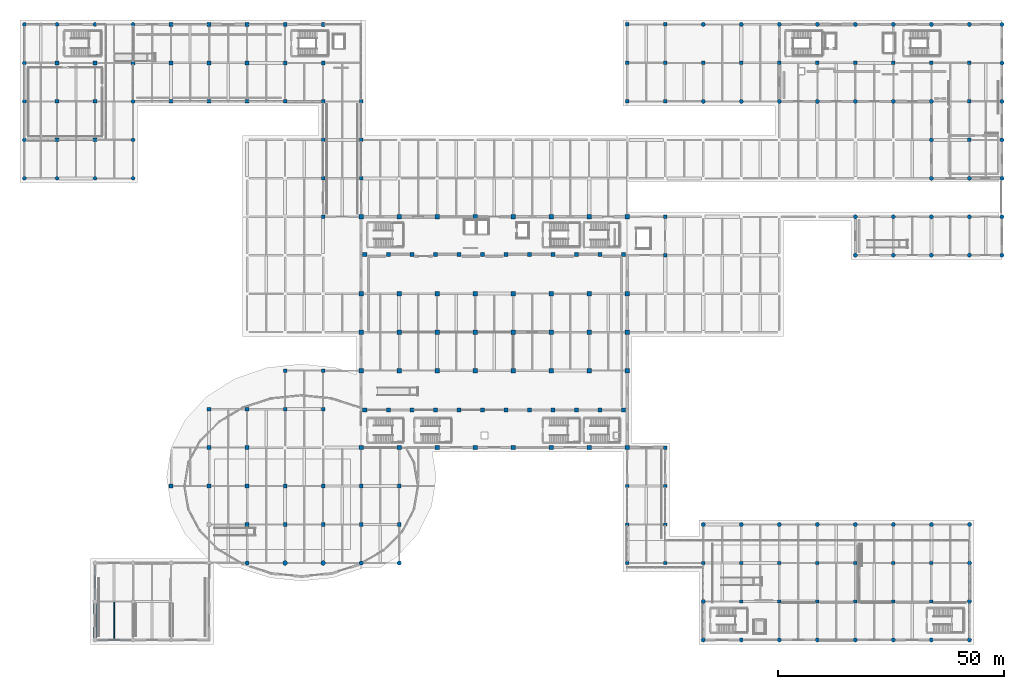
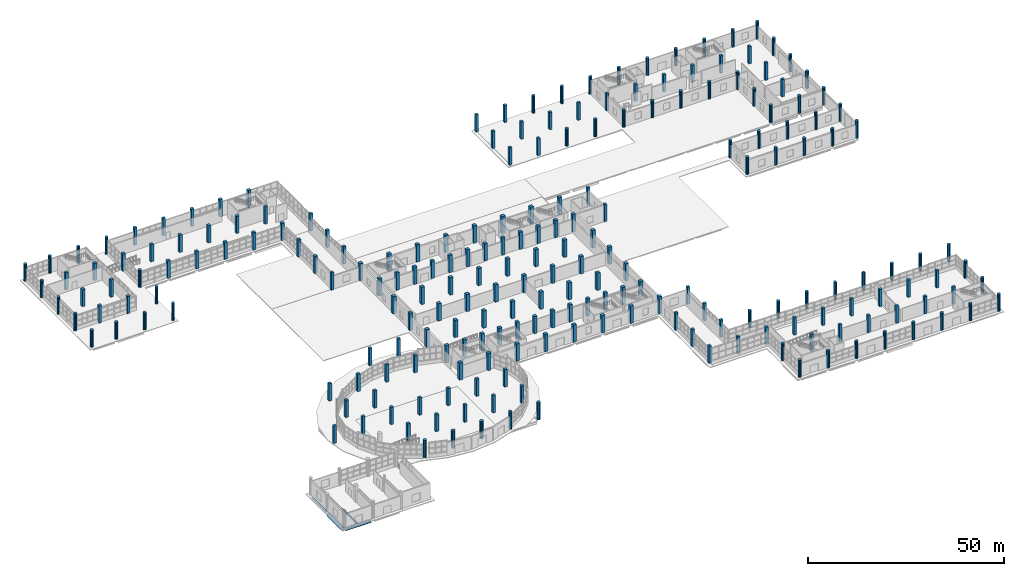
# One storey, part 2 of 107: 220 columns, 4 beams.
"""IFC4 building model written with IfcOpenShell, lengths in metres."""

from ifc_helpers import new_model, si_unit, direction, frame, origin, origin_2d, place, context, subcontext, project, spatial, rectangle, circle, i_section, extrude, material, material_profile, profile_set, type_object, element, save


model = new_model("IFC4")

# Units and contexts
model_context = context("Model", 3, precision=1e-05, world=origin(), true_north=direction((0.0, 1.0)))
body_context = subcontext(model_context, "Body", "Model", "MODEL_VIEW")
ifc_project = project(units=[si_unit("LENGTHUNIT", "METRE"), si_unit("AREAUNIT", "SQUARE_METRE"), si_unit("VOLUMEUNIT", "CUBIC_METRE"), si_unit("PLANEANGLEUNIT", "RADIAN"), si_unit("MASSUNIT", "GRAM", prefix="KILO")], contexts=[model_context])

# Site, building, storey
site_placement = place(None, origin())
site = spatial("IfcSite", under=ifc_project, at=site_placement, CompositionType="ELEMENT")
building_placement = place(site_placement, origin())
building = spatial("IfcBuilding", under=site, at=building_placement, Name="Solvento Point Concert Hall", CompositionType="ELEMENT")
storey_placement = place(building_placement, origin())
storey = spatial("IfcBuildingStorey", under=building, at=storey_placement, Name="L00", CompositionType="ELEMENT", Elevation=0.0)

# Columns
ifc_material_1 = material(Name="Concrete C40/50", Category="concrete")
ifc_material_profile_1 = material_profile(ifc_material_1, rectangle(XDim=0.75, YDim=0.75, at=origin_2d()), Name="RC-COL-750X750")
ifc_profile_set_1 = profile_set([ifc_material_profile_1], Name="Concrete C40/50")
column_type_1 = type_object("IfcColumnType", Name="Col_RC_750", PredefinedType="COLUMN", material=ifc_profile_set_1)
for number, where, z_axis, x_axis, name in (
    (1, (133.199951171875, 17.0, 0.0), (0.0, 0.0, 1.0), (1.0, 0.0, 0.0), "Column C-29 17/C L00"),
    (2, (133.199951171875, 25.5, 0.0), (0.0, 0.0, 1.0), (1.0, 0.0, 0.0), "Column C-29 17/D L00"),
    (3, (133.199951171875, 34.0, 0.0), (0.0, 0.0, 1.0), (1.0, 0.0, 0.0), "Column C-29 17/E L00"),
    (4, (133.199951171875, 119.0, 0.0), (0.0, 0.0, 1.0), (1.0, 0.0, 0.0), "Column C-29 17/Q L00"),
    (5, (133.199951171875, 127.5, 0.0), (0.0, 0.0, 1.0), (1.0, 0.0, 0.0), "Column C-29 17/R L00"),
    (6, (133.199951171875, 136.0, 0.0), (0.0, 0.0, 1.0), (1.0, 0.0, 0.0), "Column C-29 17/S L00"),
    (7, (141.60009765625, 17.0, 0.0), (0.0, 0.0, 1.0), (1.0, 0.0, 0.0), "Column C-29 18/C L00"),
    (8, (141.60009765625, 25.5, 0.0), (0.0, 0.0, 1.0), (1.0, 0.0, 0.0), "Column C-29 18/D L00"),
    (9, (141.60009765625, 34.0, 0.0), (0.0, 0.0, 1.0), (1.0, 0.0, 0.0), "Column C-29 18/E L00"),
    (10, (141.60009765625, 42.5, 0.0), (0.0, 0.0, 1.0), (1.0, 0.0, 0.0), "Column C-29 18/F L00"),
    (11, (141.60009765625, 85.0, 0.0), (0.0, 0.0, 1.0), (1.0, 0.0, 0.0), "Column C-29 18/L L00"),
    (12, (141.60009765625, 93.5, 0.0), (0.0, 0.0, 1.0), (1.0, 0.0, 0.0), "Column C-29 18/M L00"),
    (13, (141.60009765625, 119.0, 0.0), (0.0, 0.0, 1.0), (1.0, 0.0, 0.0), "Column C-29 18/Q L00"),
    (14, (141.60009765625, 127.5, 0.0), (0.0, 0.0, 1.0), (1.0, 0.0, 0.0), "Column C-29 18/R L00"),
    (15, (141.60009765625, 136.0, 0.0), (0.0, 0.0, 1.0), (1.0, 0.0, 0.0), "Column C-29 18/S L00"),
    (16, (150.0, 17.0, 0.0), (0.0, 0.0, 1.0), (1.0, 0.0, 0.0), "Column C-29 19/C L00"),
    (17, (150.0, 127.5, 0.0), (0.0, 0.0, 1.0), (1.0, 0.0, 0.0), "Column C-29 19/R L00"),
    (18, (158.39990234375, 8.5, 0.0), (0.0, 0.0, 1.0), (1.0, 0.0, 0.0), "Column C-29 20/B L00"),
    (19, (158.39990234375, 17.0, 0.0), (0.0, 0.0, 1.0), (1.0, 0.0, 0.0), "Column C-29 20/C L00"),
    (20, (158.39990234375, 127.5, 0.0), (0.0, 0.0, 1.0), (1.0, 0.0, 0.0), "Column C-29 20/R L00"),
    (21, (166.800048828125, 8.5, 0.0), (0.0, 0.0, 1.0), (1.0, 0.0, 0.0), "Column C-29 21/B L00"),
    (22, (166.800048828125, 17.0, 0.0), (0.0, 0.0, 1.0), (1.0, 0.0, 0.0), "Column C-29 21/C L00"),
    (23, (166.800048828125, 127.5, 0.0), (0.0, 0.0, 1.0), (1.0, 0.0, 0.0), "Column C-29 21/R L00"),
    (24, (175.199951171875, 8.5, 0.0), (0.0, 0.0, 1.0), (1.0, 0.0, 0.0), "Column C-29 22/B L00"),
    (25, (175.199951171875, 17.0, 0.0), (0.0, 0.0, 1.0), (1.0, 0.0, 0.0), "Column C-29 22/C L00"),
    (26, (175.199951171875, 127.5, 0.0), (0.0, 0.0, 1.0), (1.0, 0.0, 0.0), "Column C-29 22/R L00"),
    (27, (183.60009765625, 8.5, 0.0), (0.0, 0.0, 1.0), (1.0, 0.0, 0.0), "Column C-29 23/B L00"),
    (28, (183.60009765625, 17.0, 0.0), (0.0, 0.0, 1.0), (1.0, 0.0, 0.0), "Column C-29 23/C L00"),
    (29, (183.60009765625, 127.5, 0.0), (0.0, 0.0, 1.0), (1.0, 0.0, 0.0), "Column C-29 23/R L00"),
    (30, (192.0, 8.5, 0.0), (0.0, 0.0, 1.0), (1.0, 0.0, 0.0), "Column C-29 24/B L00"),
    (31, (192.0, 17.0, 0.0), (0.0, 0.0, 1.0), (1.0, 0.0, 0.0), "Column C-29 24/C L00"),
    (32, (192.0, 127.5, 0.0), (0.0, 0.0, 1.0), (1.0, 0.0, 0.0), "Column C-29 24/R L00"),
    (33, (200.39990234375, 8.5, 0.0), (0.0, 0.0, 1.0), (1.0, 0.0, 0.0), "Column C-29 25/B L00"),
    (34, (200.39990234375, 17.0, 0.0), (0.0, 0.0, 1.0), (1.0, 0.0, 0.0), "Column C-29 25/C L00"),
    (35, (200.39990234375, 127.5, 0.0), (0.0, 0.0, 1.0), (1.0, 0.0, 0.0), "Column C-29 25/R L00"),
    (36, (208.800048828125, 110.5, 0.0), (0.0, 0.0, 1.0), (1.0, 0.0, 0.0), "Column C-29 26/P L00"),
    (37, (208.800048828125, 119.0, 0.0), (0.0, 0.0, 1.0), (1.0, 0.0, 0.0), "Column C-29 26/Q L00"),
    (38, (208.800048828125, 127.5, 0.0), (0.0, 0.0, 1.0), (1.0, 0.0, 0.0), "Column C-29 26/R L00"),
):
    element("IfcColumn", number, at=place(storey_placement, frame(where, z_axis=z_axis, x_axis=x_axis)), inside=storey, type_object=column_type_1, Name=name, PredefinedType="COLUMN", context=body_context, shape_type="SweptSolid", body=[
        extrude(rectangle(XDim=0.75, YDim=0.75, at=origin_2d()), origin(), (0.0, 0.0, 1.0), 5.39990234375),
    ])
ifc_material_2 = material(Name="Concrete C40/50", Category="concrete")
ifc_material_profile_2 = material_profile(ifc_material_2, rectangle(XDim=0.820068359375, YDim=0.820068359375, at=origin_2d()), Name="RC-COL-820X820")
ifc_profile_set_2 = profile_set([ifc_material_profile_2], Name="Concrete C40/50")
column_type_2 = type_object("IfcColumnType", Name="Col_RC_820", PredefinedType="COLUMN", material=ifc_profile_set_2)
for number, where, z_axis, x_axis, name in (
    (39, (7.199951171875, 110.5, 0.0), (0.0, 0.0, 1.0), (1.0, 0.0, 0.0), "Column C-98 02/P L00"),
    (40, (7.199951171875, 119.0, 0.0), (0.0, 0.0, 1.0), (1.0, 0.0, 0.0), "Column C-98 02/Q L00"),
    (41, (7.199951171875, 127.5, 0.0), (0.0, 0.0, 1.0), (1.0, 0.0, 0.0), "Column C-98 02/R L00"),
    (42, (15.60009765625, 110.5, 0.0), (0.0, 0.0, 1.0), (1.0, 0.0, 0.0), "Column C-98 03/P L00"),
    (43, (15.60009765625, 119.0, 0.0), (0.0, 0.0, 1.0), (1.0, 0.0, 0.0), "Column C-98 03/Q L00"),
    (44, (15.60009765625, 127.5, 0.0), (0.0, 0.0, 1.0), (1.0, 0.0, 0.0), "Column C-98 03/R L00"),
    (45, (24.0, 127.5, 0.0), (0.0, 0.0, 1.0), (1.0, 0.0, 0.0), "Column C-98 04/R L00"),
    (46, (32.39990234375, 34.0, 0.0), (0.0, 0.0, 1.0), (1.0, 0.0, 0.0), "Column C-98 05/E L00"),
    (47, (32.39990234375, 119.0, 0.0), (0.0, 0.0, 1.0), (1.0, 0.0, 0.0), "Column C-98 05/Q L00"),
    (48, (32.39990234375, 127.5, 0.0), (0.0, 0.0, 1.0), (1.0, 0.0, 0.0), "Column C-98 05/R L00"),
    (49, (32.39990234375, 136.0, 0.0), (0.0, 0.0, 1.0), (1.0, 0.0, 0.0), "Column C-98 05/S L00"),
    (50, (40.800048828125, 34.0, 0.0), (0.0, 0.0, 1.0), (1.0, 0.0, 0.0), "Column C-98 06/E L00"),
    (51, (40.800048828125, 42.5, 0.0), (0.0, 0.0, 1.0), (1.0, 0.0, 0.0), "Column C-98 06/F L00"),
    (52, (40.800048828125, 51.0, 0.0), (0.0, 0.0, 1.0), (1.0, 0.0, 0.0), "Column C-98 06/G L00"),
    (53, (40.800048828125, 119.0, 0.0), (0.0, 0.0, 1.0), (1.0, 0.0, 0.0), "Column C-98 06/Q L00"),
    (54, (40.800048828125, 127.5, 0.0), (0.0, 0.0, 1.0), (1.0, 0.0, 0.0), "Column C-98 06/R L00"),
    (55, (40.800048828125, 136.0, 0.0), (0.0, 0.0, 1.0), (1.0, 0.0, 0.0), "Column C-98 06/S L00"),
    (56, (49.199951171875, 25.5, 0.0), (0.0, 0.0, 1.0), (1.0, 0.0, 0.0), "Column C-98 07/D L00"),
    (57, (49.199951171875, 34.0, 0.0), (0.0, 0.0, 1.0), (1.0, 0.0, 0.0), "Column C-98 07/E L00"),
    (58, (49.199951171875, 42.5, 0.0), (0.0, 0.0, 1.0), (1.0, 0.0, 0.0), "Column C-98 07/F L00"),
    (59, (49.199951171875, 51.0, 0.0), (0.0, 0.0, 1.0), (1.0, 0.0, 0.0), "Column C-98 07/G L00"),
    (60, (49.199951171875, 119.0, 0.0), (0.0, 0.0, 1.0), (1.0, 0.0, 0.0), "Column C-98 07/Q L00"),
    (61, (49.199951171875, 127.5, 0.0), (0.0, 0.0, 1.0), (1.0, 0.0, 0.0), "Column C-98 07/R L00"),
    (62, (49.199951171875, 136.0, 0.0), (0.0, 0.0, 1.0), (1.0, 0.0, 0.0), "Column C-98 07/S L00"),
    (63, (57.60009765625, 25.5, 0.0), (0.0, 0.0, 1.0), (1.0, 0.0, 0.0), "Column C-98 08/D L00"),
    (64, (57.60009765625, 34.0, 0.0), (0.0, 0.0, 1.0), (1.0, 0.0, 0.0), "Column C-98 08/E L00"),
    (65, (57.60009765625, 51.0, 0.0), (0.0, 0.0, 1.0), (1.0, 0.0, 0.0), "Column C-98 08/G L00"),
    (66, (57.60009765625, 59.5, 0.0), (0.0, 0.0, 1.0), (1.0, 0.0, 0.0), "Column C-98 08/H L00"),
    (67, (57.60009765625, 119.0, 0.0), (0.0, 0.0, 1.0), (1.0, 0.0, 0.0), "Column C-98 08/Q L00"),
    (68, (57.60009765625, 127.5, 0.0), (0.0, 0.0, 1.0), (1.0, 0.0, 0.0), "Column C-98 08/R L00"),
    (69, (57.60009765625, 136.0, 0.0), (0.0, 0.0, 1.0), (1.0, 0.0, 0.0), "Column C-98 08/S L00"),
    (70, (66.0, 25.5, 0.0), (0.0, 0.0, 1.0), (1.0, 0.0, 0.0), "Column C-98 09/D L00"),
    (71, (66.0, 34.0, 0.0), (0.0, 0.0, 1.0), (1.0, 0.0, 0.0), "Column C-98 09/E L00"),
    (72, (66.0, 51.0, 0.0), (0.0, 0.0, 1.0), (1.0, 0.0, 0.0), "Column C-98 09/G L00"),
    (73, (66.0, 59.5, 0.0), (0.0, 0.0, 1.0), (1.0, 0.0, 0.0), "Column C-98 09/H L00"),
    (74, (66.0, 93.5, 0.0), (0.0, 0.0, 1.0), (1.0, 0.0, 0.0), "Column C-98 09/M L00"),
    (75, (66.0, 102.0, 0.0), (0.0, 0.0, 1.0), (1.0, 0.0, 0.0), "Column C-98 09/N L00"),
    (76, (66.0, 110.5, 0.0), (0.0, 0.0, 1.0), (1.0, 0.0, 0.0), "Column C-98 09/P L00"),
    (77, (66.0, 119.0, 0.0), (0.0, 0.0, 1.0), (1.0, 0.0, 0.0), "Column C-98 09/Q L00"),
    (78, (66.0, 127.5, 0.0), (0.0, 0.0, 1.0), (1.0, 0.0, 0.0), "Column C-98 09/R L00"),
    (79, (66.0, 136.0, 0.0), (0.0, 0.0, 1.0), (1.0, 0.0, 0.0), "Column C-98 09/S L00"),
    (80, (74.39990234375, 25.5, 0.0), (0.0, 0.0, 1.0), (1.0, 0.0, 0.0), "Column C-98 10/D L00"),
    (81, (74.39990234375, 34.0, 0.0), (0.0, 0.0, 1.0), (1.0, 0.0, 0.0), "Column C-98 10/E L00"),
    (82, (74.39990234375, 102.0, 0.0), (0.0, 0.0, 1.0), (1.0, 0.0, 0.0), "Column C-98 10/N L00"),
    (83, (74.39990234375, 110.5, 0.0), (0.0, 0.0, 1.0), (1.0, 0.0, 0.0), "Column C-98 10/P L00"),
    (84, (74.39990234375, 119.0, 0.0), (0.0, 0.0, 1.0), (1.0, 0.0, 0.0), "Column C-98 10/Q L00"),
    (85, (82.800048828125, 25.5, 0.0), (0.0, 0.0, 1.0), (1.0, 0.0, 0.0), "Column C-98 11/D L00"),
    (86, (82.800048828125, 34.0, 0.0), (0.0, 0.0, 1.0), (1.0, 0.0, 0.0), "Column C-98 11/E L00"),
):
    element("IfcColumn", number, at=place(storey_placement, frame(where, z_axis=z_axis, x_axis=x_axis)), inside=storey, type_object=column_type_2, Name=name, PredefinedType="COLUMN", context=body_context, shape_type="SweptSolid", body=[
        extrude(rectangle(XDim=0.820068359375, YDim=0.820068359375, at=origin_2d()), origin(), (0.0, 0.0, 1.0), 5.39990234375),
    ])
ifc_material_3 = material(Name="Concrete C40/50", Category="concrete")
ifc_material_profile_3 = material_profile(ifc_material_3, rectangle(XDim=0.89990234375, YDim=0.89990234375, at=origin_2d()), Name="RC-COL-900X900")
ifc_profile_set_3 = profile_set([ifc_material_profile_3], Name="Concrete C40/50")
column_type_3 = type_object("IfcColumnType", Name="Col_RC_900", PredefinedType="COLUMN", material=ifc_profile_set_3)
for number, where, z_axis, x_axis, name in (
    (87, (75.199951171875, 50.800048828125, 0.0), (0.0, 0.0, 1.0), (1.0, 0.0, 0.0), "Symphonic drum column C-14 DS01 L00"),
    (88, (75.199951171875, 85.199951171875, 0.0), (0.0, 0.0, 1.0), (1.0, 0.0, 0.0), "Symphonic drum column C-14 DN01 L00"),
    (89, (80.39990234375, 50.800048828125, 0.0), (0.0, 0.0, 1.0), (1.0, 0.0, 0.0), "Symphonic drum column C-14 DS02 L00"),
    (90, (80.39990234375, 85.199951171875, 0.0), (0.0, 0.0, 1.0), (1.0, 0.0, 0.0), "Symphonic drum column C-14 DN02 L00"),
    (91, (85.60009765625, 50.800048828125, 0.0), (0.0, 0.0, 1.0), (1.0, 0.0, 0.0), "Symphonic drum column C-14 DS03 L00"),
    (92, (85.60009765625, 85.199951171875, 0.0), (0.0, 0.0, 1.0), (1.0, 0.0, 0.0), "Symphonic drum column C-14 DN03 L00"),
    (93, (90.800048828125, 50.800048828125, 0.0), (0.0, 0.0, 1.0), (1.0, 0.0, 0.0), "Symphonic drum column C-14 DS04 L00"),
    (94, (90.800048828125, 85.199951171875, 0.0), (0.0, 0.0, 1.0), (1.0, 0.0, 0.0), "Symphonic drum column C-14 DN04 L00"),
    (95, (96.0, 50.800048828125, 0.0), (0.0, 0.0, 1.0), (1.0, 0.0, 0.0), "Symphonic drum column C-14 DS05 L00"),
    (96, (96.0, 85.199951171875, 0.0), (0.0, 0.0, 1.0), (1.0, 0.0, 0.0), "Symphonic drum column C-14 DN05 L00"),
    (97, (101.199951171875, 50.800048828125, 0.0), (0.0, 0.0, 1.0), (1.0, 0.0, 0.0), "Symphonic drum column C-14 DS06 L00"),
    (98, (101.199951171875, 85.199951171875, 0.0), (0.0, 0.0, 1.0), (1.0, 0.0, 0.0), "Symphonic drum column C-14 DN06 L00"),
    (99, (106.39990234375, 50.800048828125, 0.0), (0.0, 0.0, 1.0), (1.0, 0.0, 0.0), "Symphonic drum column C-14 DS07 L00"),
    (100, (106.39990234375, 85.199951171875, 0.0), (0.0, 0.0, 1.0), (1.0, 0.0, 0.0), "Symphonic drum column C-14 DN07 L00"),
    (101, (111.60009765625, 50.800048828125, 0.0), (0.0, 0.0, 1.0), (1.0, 0.0, 0.0), "Symphonic drum column C-14 DS08 L00"),
    (102, (111.60009765625, 85.199951171875, 0.0), (0.0, 0.0, 1.0), (1.0, 0.0, 0.0), "Symphonic drum column C-14 DN08 L00"),
    (103, (116.800048828125, 50.800048828125, 0.0), (0.0, 0.0, 1.0), (1.0, 0.0, 0.0), "Symphonic drum column C-14 DS09 L00"),
    (104, (116.800048828125, 85.199951171875, 0.0), (0.0, 0.0, 1.0), (1.0, 0.0, 0.0), "Symphonic drum column C-14 DN09 L00"),
    (105, (122.0, 50.800048828125, 0.0), (0.0, 0.0, 1.0), (1.0, 0.0, 0.0), "Symphonic drum column C-14 DS10 L00"),
    (106, (122.0, 85.199951171875, 0.0), (0.0, 0.0, 1.0), (1.0, 0.0, 0.0), "Symphonic drum column C-14 DN10 L00"),
    (107, (127.199951171875, 50.800048828125, 0.0), (0.0, 0.0, 1.0), (1.0, 0.0, 0.0), "Symphonic drum column C-14 DS11 L00"),
    (108, (127.199951171875, 85.199951171875, 0.0), (0.0, 0.0, 1.0), (1.0, 0.0, 0.0), "Symphonic drum column C-14 DN11 L00"),
    (109, (132.39990234375, 50.800048828125, 0.0), (0.0, 0.0, 1.0), (1.0, 0.0, 0.0), "Symphonic drum column C-14 DS12 L00"),
    (110, (132.39990234375, 85.199951171875, 0.0), (0.0, 0.0, 1.0), (1.0, 0.0, 0.0), "Symphonic drum column C-14 DN12 L00"),
):
    element("IfcColumn", number, at=place(storey_placement, frame(where, z_axis=z_axis, x_axis=x_axis)), inside=storey, type_object=column_type_3, Name=name, PredefinedType="COLUMN", context=body_context, shape_type="SweptSolid", body=[
        extrude(rectangle(XDim=0.89990234375, YDim=0.89990234375, at=origin_2d()), origin(), (0.0, 0.0, 1.0), 5.39990234375),
    ])
ifc_material_4 = material(Name="Concrete C40/50", Category="concrete")
ifc_material_profile_4 = material_profile(ifc_material_4, rectangle(XDim=0.949951171875, YDim=0.949951171875, at=origin_2d()), Name="RC-COL-950X950")
ifc_profile_set_4 = profile_set([ifc_material_profile_4], Name="Concrete C40/50")
column_type_4 = type_object("IfcColumnType", Name="Col_RC_950", PredefinedType="COLUMN", material=ifc_profile_set_4)
for number, where, z_axis, x_axis, name in (
    (111, (74.39990234375, 42.5, 0.0), (0.0, 0.0, 1.0), (1.0, 0.0, 0.0), "Column C-86 10/F L00"),
    (112, (74.39990234375, 59.5, 0.0), (0.0, 0.0, 1.0), (1.0, 0.0, 0.0), "Column C-86 10/H L00"),
    (113, (74.39990234375, 68.0, 0.0), (0.0, 0.0, 1.0), (1.0, 0.0, 0.0), "Column C-86 10/J L00"),
    (114, (74.39990234375, 76.5, 0.0), (0.0, 0.0, 1.0), (1.0, 0.0, 0.0), "Column C-86 10/K L00"),
    (115, (74.39990234375, 93.5, 0.0), (0.0, 0.0, 1.0), (1.0, 0.0, 0.0), "Column C-86 10/M L00"),
    (116, (82.800048828125, 42.5, 0.0), (0.0, 0.0, 1.0), (1.0, 0.0, 0.0), "Column C-86 11/F L00"),
    (117, (82.800048828125, 59.5, 0.0), (0.0, 0.0, 1.0), (1.0, 0.0, 0.0), "Column C-86 11/H L00"),
    (118, (82.800048828125, 68.0, 0.0), (0.0, 0.0, 1.0), (1.0, 0.0, 0.0), "Column C-86 11/J L00"),
    (119, (82.800048828125, 76.5, 0.0), (0.0, 0.0, 1.0), (1.0, 0.0, 0.0), "Column C-86 11/K L00"),
    (120, (82.800048828125, 93.5, 0.0), (0.0, 0.0, 1.0), (1.0, 0.0, 0.0), "Column C-86 11/M L00"),
    (121, (91.199951171875, 42.5, 0.0), (0.0, 0.0, 1.0), (1.0, 0.0, 0.0), "Column C-86 12/F L00"),
    (122, (91.199951171875, 59.5, 0.0), (0.0, 0.0, 1.0), (1.0, 0.0, 0.0), "Column C-86 12/H L00"),
    (123, (91.199951171875, 68.0, 0.0), (0.0, 0.0, 1.0), (1.0, 0.0, 0.0), "Column C-86 12/J L00"),
    (124, (91.199951171875, 76.5, 0.0), (0.0, 0.0, 1.0), (1.0, 0.0, 0.0), "Column C-86 12/K L00"),
    (125, (91.199951171875, 93.5, 0.0), (0.0, 0.0, 1.0), (1.0, 0.0, 0.0), "Column C-86 12/M L00"),
    (126, (99.60009765625, 42.5, 0.0), (0.0, 0.0, 1.0), (1.0, 0.0, 0.0), "Column C-86 13/F L00"),
    (127, (99.60009765625, 59.5, 0.0), (0.0, 0.0, 1.0), (1.0, 0.0, 0.0), "Column C-86 13/H L00"),
    (128, (99.60009765625, 68.0, 0.0), (0.0, 0.0, 1.0), (1.0, 0.0, 0.0), "Column C-86 13/J L00"),
    (129, (99.60009765625, 76.5, 0.0), (0.0, 0.0, 1.0), (1.0, 0.0, 0.0), "Column C-86 13/K L00"),
    (130, (99.60009765625, 93.5, 0.0), (0.0, 0.0, 1.0), (1.0, 0.0, 0.0), "Column C-86 13/M L00"),
    (131, (108.0, 42.5, 0.0), (0.0, 0.0, 1.0), (1.0, 0.0, 0.0), "Column C-86 14/F L00"),
    (132, (108.0, 59.5, 0.0), (0.0, 0.0, 1.0), (1.0, 0.0, 0.0), "Column C-86 14/H L00"),
    (133, (108.0, 68.0, 0.0), (0.0, 0.0, 1.0), (1.0, 0.0, 0.0), "Column C-86 14/J L00"),
    (134, (108.0, 76.5, 0.0), (0.0, 0.0, 1.0), (1.0, 0.0, 0.0), "Column C-86 14/K L00"),
    (135, (108.0, 93.5, 0.0), (0.0, 0.0, 1.0), (1.0, 0.0, 0.0), "Column C-86 14/M L00"),
    (136, (116.39990234375, 42.5, 0.0), (0.0, 0.0, 1.0), (1.0, 0.0, 0.0), "Column C-86 15/F L00"),
    (137, (116.39990234375, 59.5, 0.0), (0.0, 0.0, 1.0), (1.0, 0.0, 0.0), "Column C-86 15/H L00"),
    (138, (116.39990234375, 68.0, 0.0), (0.0, 0.0, 1.0), (1.0, 0.0, 0.0), "Column C-86 15/J L00"),
    (139, (116.39990234375, 76.5, 0.0), (0.0, 0.0, 1.0), (1.0, 0.0, 0.0), "Column C-86 15/K L00"),
    (140, (116.39990234375, 93.5, 0.0), (0.0, 0.0, 1.0), (1.0, 0.0, 0.0), "Column C-86 15/M L00"),
    (141, (124.800048828125, 42.5, 0.0), (0.0, 0.0, 1.0), (1.0, 0.0, 0.0), "Column C-86 16/F L00"),
    (142, (124.800048828125, 59.5, 0.0), (0.0, 0.0, 1.0), (1.0, 0.0, 0.0), "Column C-86 16/H L00"),
    (143, (124.800048828125, 68.0, 0.0), (0.0, 0.0, 1.0), (1.0, 0.0, 0.0), "Column C-86 16/J L00"),
    (144, (124.800048828125, 76.5, 0.0), (0.0, 0.0, 1.0), (1.0, 0.0, 0.0), "Column C-86 16/K L00"),
    (145, (124.800048828125, 93.5, 0.0), (0.0, 0.0, 1.0), (1.0, 0.0, 0.0), "Column C-86 16/M L00"),
    (146, (133.199951171875, 42.5, 0.0), (0.0, 0.0, 1.0), (1.0, 0.0, 0.0), "Column C-86 17/F L00"),
    (147, (133.199951171875, 59.5, 0.0), (0.0, 0.0, 1.0), (1.0, 0.0, 0.0), "Column C-86 17/H L00"),
    (148, (133.199951171875, 68.0, 0.0), (0.0, 0.0, 1.0), (1.0, 0.0, 0.0), "Column C-86 17/J L00"),
    (149, (133.199951171875, 76.5, 0.0), (0.0, 0.0, 1.0), (1.0, 0.0, 0.0), "Column C-86 17/K L00"),
    (150, (133.199951171875, 93.5, 0.0), (0.0, 0.0, 1.0), (1.0, 0.0, 0.0), "Column C-86 17/M L00"),
):
    element("IfcColumn", number, at=place(storey_placement, frame(where, z_axis=z_axis, x_axis=x_axis)), inside=storey, type_object=column_type_4, Name=name, PredefinedType="COLUMN", context=body_context, shape_type="SweptSolid", body=[
        extrude(rectangle(XDim=0.949951171875, YDim=0.949951171875, at=origin_2d()), origin(), (0.0, 0.0, 1.0), 5.39990234375),
    ])
ifc_material_5 = material(Name="Concrete C40/50", Category="concrete")
ifc_material_profile_5 = material_profile(ifc_material_5, circle(Radius=0.52490234375, at=origin_2d()), Name="RC-PILOTIS-1050")
ifc_profile_set_5 = profile_set([ifc_material_profile_5], Name="Concrete C40/50")
column_type_5 = type_object("IfcColumnType", Name="Pilotis_1050", PredefinedType="COLUMN", material=ifc_profile_set_5)
for number, where, z_axis, x_axis, name in (
    (151, (57.60009765625, 17.0, 0.0), (0.0, 0.0, 1.0), (1.0, 0.0, 0.0), "Column C-28 08/C L00"),
    (152, (66.0, 17.0, 0.0), (0.0, 0.0, 1.0), (1.0, 0.0, 0.0), "Column C-28 09/C L00"),
):
    element("IfcColumn", number, at=place(storey_placement, frame(where, z_axis=z_axis, x_axis=x_axis)), inside=storey, type_object=column_type_5, Name=name, PredefinedType="COLUMN", context=body_context, shape_type="SweptSolid", body=[
        extrude(circle(Radius=0.52490234375, at=origin_2d()), origin(), (0.0, 0.0, 1.0), 5.39990234375),
    ])
ifc_material_6 = material(Name="Concrete C40/50", Category="concrete")
ifc_material_profile_6 = material_profile(ifc_material_6, circle(Radius=0.425048828125, at=origin_2d()), Name="RC-PILOTIS-850")
ifc_profile_set_6 = profile_set([ifc_material_profile_6], Name="Concrete C40/50")
column_type_6 = type_object("IfcColumnType", Name="Pilotis_850", PredefinedType="COLUMN", material=ifc_profile_set_6)
for number, where, z_axis, x_axis, name in (
    (153, (0.0, 102.0, 0.0), (0.0, 0.0, 1.0), (1.0, 0.0, 0.0), "Column C-22 01/N L00"),
    (154, (0.0, 110.5, 0.0), (0.0, 0.0, 1.0), (1.0, 0.0, 0.0), "Column C-22 01/P L00"),
    (155, (0.0, 119.0, 0.0), (0.0, 0.0, 1.0), (1.0, 0.0, 0.0), "Column C-22 01/Q L00"),
    (156, (0.0, 127.5, 0.0), (0.0, 0.0, 1.0), (1.0, 0.0, 0.0), "Column C-22 01/R L00"),
    (157, (0.0, 136.0, 0.0), (0.0, 0.0, 1.0), (1.0, 0.0, 0.0), "Column C-22 01/S L00"),
    (158, (7.199951171875, 102.0, 0.0), (0.0, 0.0, 1.0), (1.0, 0.0, 0.0), "Column C-22 02/N L00"),
    (159, (7.199951171875, 136.0, 0.0), (0.0, 0.0, 1.0), (1.0, 0.0, 0.0), "Column C-22 02/S L00"),
    (160, (15.60009765625, 102.0, 0.0), (0.0, 0.0, 1.0), (1.0, 0.0, 0.0), "Column C-22 03/N L00"),
    (161, (15.60009765625, 136.0, 0.0), (0.0, 0.0, 1.0), (1.0, 0.0, 0.0), "Column C-22 03/S L00"),
    (162, (24.0, 102.0, 0.0), (0.0, 0.0, 1.0), (1.0, 0.0, 0.0), "Column C-22 04/N L00"),
    (163, (24.0, 110.5, 0.0), (0.0, 0.0, 1.0), (1.0, 0.0, 0.0), "Column C-22 04/P L00"),
    (164, (24.0, 119.0, 0.0), (0.0, 0.0, 1.0), (1.0, 0.0, 0.0), "Column C-22 04/Q L00"),
    (165, (24.0, 136.0, 0.0), (0.0, 0.0, 1.0), (1.0, 0.0, 0.0), "Column C-22 04/S L00"),
):
    element("IfcColumn", number, at=place(storey_placement, frame(where, z_axis=z_axis, x_axis=x_axis)), inside=storey, type_object=column_type_6, Name=name, PredefinedType="COLUMN", context=body_context, shape_type="SweptSolid", body=[
        extrude(circle(Radius=0.425048828125, at=origin_2d()), origin(), (0.0, 0.0, 1.0), 5.39990234375),
    ])
ifc_material_7 = material(Name="Concrete C40/50", Category="concrete")
ifc_material_profile_7 = material_profile(ifc_material_7, circle(Radius=0.449951171875, at=origin_2d()), Name="RC-PILOTIS-900")
ifc_profile_set_7 = profile_set([ifc_material_profile_7], Name="Concrete C40/50")
column_type_7 = type_object("IfcColumnType", Name="Pilotis_900", PredefinedType="COLUMN", material=ifc_profile_set_7)
for number, where, z_axis, x_axis, name in (
    (166, (150.0, 0.0, 0.0), (0.0, 0.0, 1.0), (1.0, 0.0, 0.0), "Column C-92 19/A L00"),
    (167, (150.0, 8.5, 0.0), (0.0, 0.0, 1.0), (1.0, 0.0, 0.0), "Column C-92 19/B L00"),
    (168, (150.0, 25.5, 0.0), (0.0, 0.0, 1.0), (1.0, 0.0, 0.0), "Column C-92 19/D L00"),
    (169, (150.0, 119.0, 0.0), (0.0, 0.0, 1.0), (1.0, 0.0, 0.0), "Column C-92 19/Q L00"),
    (170, (150.0, 136.0, 0.0), (0.0, 0.0, 1.0), (1.0, 0.0, 0.0), "Column C-92 19/S L00"),
    (171, (158.39990234375, 0.0, 0.0), (0.0, 0.0, 1.0), (1.0, 0.0, 0.0), "Column C-92 20/A L00"),
    (172, (158.39990234375, 25.5, 0.0), (0.0, 0.0, 1.0), (1.0, 0.0, 0.0), "Column C-92 20/D L00"),
    (173, (158.39990234375, 119.0, 0.0), (0.0, 0.0, 1.0), (1.0, 0.0, 0.0), "Column C-92 20/Q L00"),
    (174, (158.39990234375, 136.0, 0.0), (0.0, 0.0, 1.0), (1.0, 0.0, 0.0), "Column C-92 20/S L00"),
    (175, (166.800048828125, 0.0, 0.0), (0.0, 0.0, 1.0), (1.0, 0.0, 0.0), "Column C-92 21/A L00"),
    (176, (166.800048828125, 25.5, 0.0), (0.0, 0.0, 1.0), (1.0, 0.0, 0.0), "Column C-92 21/D L00"),
    (177, (166.800048828125, 119.0, 0.0), (0.0, 0.0, 1.0), (1.0, 0.0, 0.0), "Column C-92 21/Q L00"),
    (178, (166.800048828125, 136.0, 0.0), (0.0, 0.0, 1.0), (1.0, 0.0, 0.0), "Column C-92 21/S L00"),
    (179, (175.199951171875, 0.0, 0.0), (0.0, 0.0, 1.0), (1.0, 0.0, 0.0), "Column C-92 22/A L00"),
    (180, (175.199951171875, 25.5, 0.0), (0.0, 0.0, 1.0), (1.0, 0.0, 0.0), "Column C-92 22/D L00"),
    (181, (175.199951171875, 119.0, 0.0), (0.0, 0.0, 1.0), (1.0, 0.0, 0.0), "Column C-92 22/Q L00"),
    (182, (175.199951171875, 136.0, 0.0), (0.0, 0.0, 1.0), (1.0, 0.0, 0.0), "Column C-92 22/S L00"),
    (183, (183.60009765625, 0.0, 0.0), (0.0, 0.0, 1.0), (1.0, 0.0, 0.0), "Column C-92 23/A L00"),
    (184, (183.60009765625, 25.5, 0.0), (0.0, 0.0, 1.0), (1.0, 0.0, 0.0), "Column C-92 23/D L00"),
    (185, (183.60009765625, 85.0, 0.0), (0.0, 0.0, 1.0), (1.0, 0.0, 0.0), "Column C-92 23/L L00"),
    (186, (183.60009765625, 93.5, 0.0), (0.0, 0.0, 1.0), (1.0, 0.0, 0.0), "Column C-92 23/M L00"),
    (187, (183.60009765625, 119.0, 0.0), (0.0, 0.0, 1.0), (1.0, 0.0, 0.0), "Column C-92 23/Q L00"),
    (188, (183.60009765625, 136.0, 0.0), (0.0, 0.0, 1.0), (1.0, 0.0, 0.0), "Column C-92 23/S L00"),
    (189, (192.0, 0.0, 0.0), (0.0, 0.0, 1.0), (1.0, 0.0, 0.0), "Column C-92 24/A L00"),
    (190, (192.0, 25.5, 0.0), (0.0, 0.0, 1.0), (1.0, 0.0, 0.0), "Column C-92 24/D L00"),
    (191, (192.0, 85.0, 0.0), (0.0, 0.0, 1.0), (1.0, 0.0, 0.0), "Column C-92 24/L L00"),
    (192, (192.0, 93.5, 0.0), (0.0, 0.0, 1.0), (1.0, 0.0, 0.0), "Column C-92 24/M L00"),
    (193, (192.0, 119.0, 0.0), (0.0, 0.0, 1.0), (1.0, 0.0, 0.0), "Column C-92 24/Q L00"),
    (194, (192.0, 136.0, 0.0), (0.0, 0.0, 1.0), (1.0, 0.0, 0.0), "Column C-92 24/S L00"),
    (195, (200.39990234375, 0.0, 0.0), (0.0, 0.0, 1.0), (1.0, 0.0, 0.0), "Column C-92 25/A L00"),
    (196, (200.39990234375, 25.5, 0.0), (0.0, 0.0, 1.0), (1.0, 0.0, 0.0), "Column C-92 25/D L00"),
    (197, (200.39990234375, 85.0, 0.0), (0.0, 0.0, 1.0), (1.0, 0.0, 0.0), "Column C-92 25/L L00"),
    (198, (200.39990234375, 93.5, 0.0), (0.0, 0.0, 1.0), (1.0, 0.0, 0.0), "Column C-92 25/M L00"),
    (199, (200.39990234375, 102.0, 0.0), (0.0, 0.0, 1.0), (1.0, 0.0, 0.0), "Column C-92 25/N L00"),
    (200, (200.39990234375, 110.5, 0.0), (0.0, 0.0, 1.0), (1.0, 0.0, 0.0), "Column C-92 25/P L00"),
    (201, (200.39990234375, 119.0, 0.0), (0.0, 0.0, 1.0), (1.0, 0.0, 0.0), "Column C-92 25/Q L00"),
    (202, (200.39990234375, 136.0, 0.0), (0.0, 0.0, 1.0), (1.0, 0.0, 0.0), "Column C-92 25/S L00"),
    (203, (208.800048828125, 0.0, 0.0), (0.0, 0.0, 1.0), (1.0, 0.0, 0.0), "Column C-92 26/A L00"),
    (204, (208.800048828125, 8.5, 0.0), (0.0, 0.0, 1.0), (1.0, 0.0, 0.0), "Column C-92 26/B L00"),
    (205, (208.800048828125, 17.0, 0.0), (0.0, 0.0, 1.0), (1.0, 0.0, 0.0), "Column C-92 26/C L00"),
    (206, (208.800048828125, 25.5, 0.0), (0.0, 0.0, 1.0), (1.0, 0.0, 0.0), "Column C-92 26/D L00"),
    (207, (208.800048828125, 85.0, 0.0), (0.0, 0.0, 1.0), (1.0, 0.0, 0.0), "Column C-92 26/L L00"),
    (208, (208.800048828125, 93.5, 0.0), (0.0, 0.0, 1.0), (1.0, 0.0, 0.0), "Column C-92 26/M L00"),
    (209, (208.800048828125, 102.0, 0.0), (0.0, 0.0, 1.0), (1.0, 0.0, 0.0), "Column C-92 26/N L00"),
    (210, (208.800048828125, 136.0, 0.0), (0.0, 0.0, 1.0), (1.0, 0.0, 0.0), "Column C-92 26/S L00"),
    (211, (216.0, 85.0, 0.0), (0.0, 0.0, 1.0), (1.0, 0.0, 0.0), "Column C-92 27/L L00"),
    (212, (216.0, 93.5, 0.0), (0.0, 0.0, 1.0), (1.0, 0.0, 0.0), "Column C-92 27/M L00"),
    (213, (216.0, 102.0, 0.0), (0.0, 0.0, 1.0), (1.0, 0.0, 0.0), "Column C-92 27/N L00"),
    (214, (216.0, 110.5, 0.0), (0.0, 0.0, 1.0), (1.0, 0.0, 0.0), "Column C-92 27/P L00"),
    (215, (216.0, 119.0, 0.0), (0.0, 0.0, 1.0), (1.0, 0.0, 0.0), "Column C-92 27/Q L00"),
    (216, (216.0, 127.5, 0.0), (0.0, 0.0, 1.0), (1.0, 0.0, 0.0), "Column C-92 27/R L00"),
    (217, (216.0, 136.0, 0.0), (0.0, 0.0, 1.0), (1.0, 0.0, 0.0), "Column C-92 27/S L00"),
):
    element("IfcColumn", number, at=place(storey_placement, frame(where, z_axis=z_axis, x_axis=x_axis)), inside=storey, type_object=column_type_7, Name=name, PredefinedType="COLUMN", context=body_context, shape_type="SweptSolid", body=[
        extrude(circle(Radius=0.449951171875, at=origin_2d()), origin(), (0.0, 0.0, 1.0), 5.39990234375),
    ])
ifc_material_8 = material(Name="Concrete C40/50", Category="concrete")
ifc_material_profile_8 = material_profile(ifc_material_8, circle(Radius=0.47509765625, at=origin_2d()), Name="RC-PILOTIS-950")
ifc_profile_set_8 = profile_set([ifc_material_profile_8], Name="Concrete C40/50")
column_type_8 = type_object("IfcColumnType", Name="Pilotis_950", PredefinedType="COLUMN", material=ifc_profile_set_8)
for number, where, z_axis, x_axis, name in (
    (218, (49.199951171875, 17.0, 0.0), (0.0, 0.0, 1.0), (1.0, 0.0, 0.0), "Column C-95 07/C L00"),
    (219, (74.39990234375, 17.0, 0.0), (0.0, 0.0, 1.0), (1.0, 0.0, 0.0), "Column C-95 10/C L00"),
    (220, (82.800048828125, 17.0, 0.0), (0.0, 0.0, 1.0), (1.0, 0.0, 0.0), "Column C-95 11/C L00"),
):
    element("IfcColumn", number, at=place(storey_placement, frame(where, z_axis=z_axis, x_axis=x_axis)), inside=storey, type_object=column_type_8, Name=name, PredefinedType="COLUMN", context=body_context, shape_type="SweptSolid", body=[
        extrude(circle(Radius=0.47509765625, at=origin_2d()), origin(), (0.0, 0.0, 1.0), 5.39990234375),
    ])

# Beams
ifc_material_9 = material(Name="Structural Steel ASTM A992 Grade 50", Category="steel")
ifc_material_profile_9 = material_profile(ifc_material_9, i_section(OverallWidth=0.20947265625, OverallDepth=0.532958984375, WebThickness=0.01025390625, FlangeThickness=0.015625, at=origin_2d()), Name="W21X62")
ifc_profile_set_9 = profile_set([ifc_material_profile_9], Name="Structural Steel ASTM A992 Grade 50")
beam_type_1 = type_object("IfcBeamType", Name="Beam_W21X62", PredefinedType="BEAM", material=ifc_profile_set_9)
beam_1_placement = place(storey_placement, frame((19.800048828125, 0.131103515625, -0.570556640625), z_axis=(0.0, 1.0, 0.0), x_axis=(-1.0, 0.0, 0.0)))
element("IfcBeam", 221, at=beam_1_placement, inside=storey, type_object=beam_type_1, Name="Secondary floor joist B-25 L00", PredefinedType="BEAM", context=body_context, shape_type="SweptSolid", body=[
    extrude(i_section(OverallWidth=0.20947265625, OverallDepth=0.532958984375, WebThickness=0.01025390625, FlangeThickness=0.015625, at=origin_2d()), origin(), (0.0, 0.0, 1.0), 8.230224609375),
])
ifc_material_10 = material(Name="Structural Steel ASTM A992 Grade 50", Category="steel")
ifc_material_profile_10 = material_profile(ifc_material_10, i_section(OverallWidth=0.228515625, OverallDepth=0.60791015625, WebThickness=0.01123046875, FlangeThickness=0.017333984375, at=origin_2d()), Name="W24X76")
ifc_profile_set_10 = profile_set([ifc_material_profile_10], Name="Structural Steel ASTM A992 Grade 50")
beam_type_2 = type_object("IfcBeamType", Name="Beam_W24X76", PredefinedType="BEAM", material=ifc_profile_set_10)
beam_2_placement = place(storey_placement, frame((15.60009765625, 8.924072265625, -0.60791015625), z_axis=(0.0, 1.0, 0.0), x_axis=(-1.0, 0.0, 0.0)))
element("IfcBeam", 222, at=beam_2_placement, inside=storey, type_object=beam_type_2, Name="Primary girder B-42 L00", PredefinedType="BEAM", context=body_context, shape_type="SweptSolid", body=[
    extrude(i_section(OverallWidth=0.228515625, OverallDepth=0.60791015625, WebThickness=0.01123046875, FlangeThickness=0.017333984375, at=origin_2d()), origin(), (0.0, 0.0, 1.0), 7.65185546875),
])
ifc_material_11 = material(Name="Concrete C35/45", Category="concrete")
ifc_material_profile_11 = material_profile(ifc_material_11, rectangle(XDim=0.64990234375, YDim=1.0, at=origin_2d()), Name="RC-BM-650X1000")
ifc_profile_set_11 = profile_set([ifc_material_profile_11], Name="Concrete C35/45")
beam_type_3 = type_object("IfcBeamType", Name="Girder_RC_650x1000", PredefinedType="USERDEFINED", material=ifc_profile_set_11)
beam_3_placement = place(storey_placement, frame((15.60009765625, 0.424072265625, -0.803955078125), z_axis=(0.0, 1.0, 0.0), x_axis=(-1.0, 0.0, 0.0)))
element("IfcBeam", 223, at=beam_3_placement, inside=storey, type_object=beam_type_3, Name="Primary girder B-67 L00", ObjectType="GIRDER", PredefinedType="USERDEFINED", context=body_context, shape_type="SweptSolid", body=[
    extrude(rectangle(XDim=0.64990234375, YDim=1.0, at=origin_2d()), origin(), (0.0, 0.0, 1.0), 7.65185546875),
])
ifc_material_12 = material(Name="Structural Steel ASTM A992 Grade 50", Category="steel")
ifc_material_profile_12 = material_profile(ifc_material_12, i_section(OverallWidth=0.2919921875, OverallDepth=0.85888671875, WebThickness=0.01708984375, FlangeThickness=0.031005859375, at=origin_2d()), Name="W33X169")
ifc_profile_set_12 = profile_set([ifc_material_profile_12], Name="Structural Steel ASTM A992 Grade 50")
beam_type_4 = type_object("IfcBeamType", Name="Girder_W33X169", PredefinedType="USERDEFINED", material=ifc_profile_set_12)
beam_4_placement = place(storey_placement, frame((16.02392578125, 0.0, -0.7333984375), z_axis=(1.0, 0.0, 0.0), x_axis=(0.0, 1.0, 0.0)))
element("IfcBeam", 224, at=beam_4_placement, inside=storey, type_object=beam_type_4, Name="Primary girder B-33 L00", ObjectType="GIRDER", PredefinedType="USERDEFINED", context=body_context, shape_type="SweptSolid", body=[
    extrude(i_section(OverallWidth=0.2919921875, OverallDepth=0.85888671875, WebThickness=0.01708984375, FlangeThickness=0.031005859375, at=origin_2d()), origin(), (0.0, 0.0, 1.0), 7.552001953125),
])

save(model, "model.ifc")
